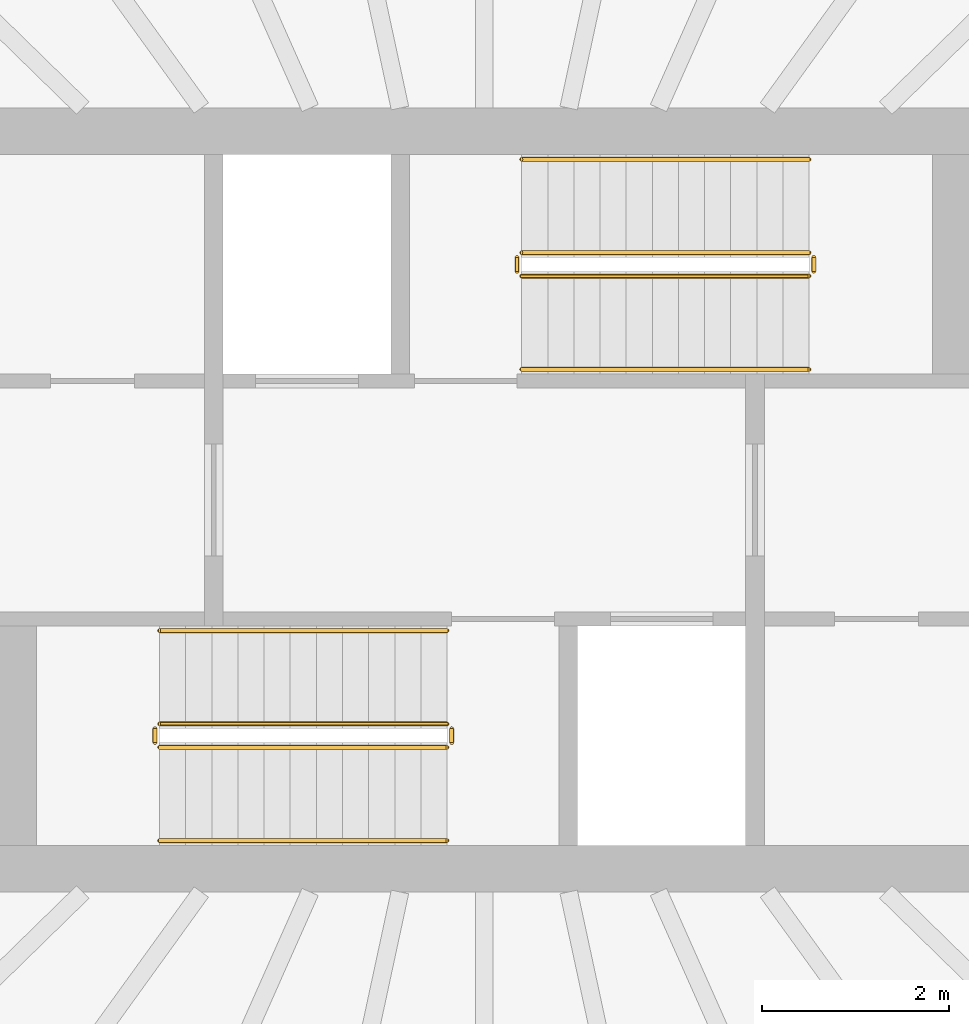
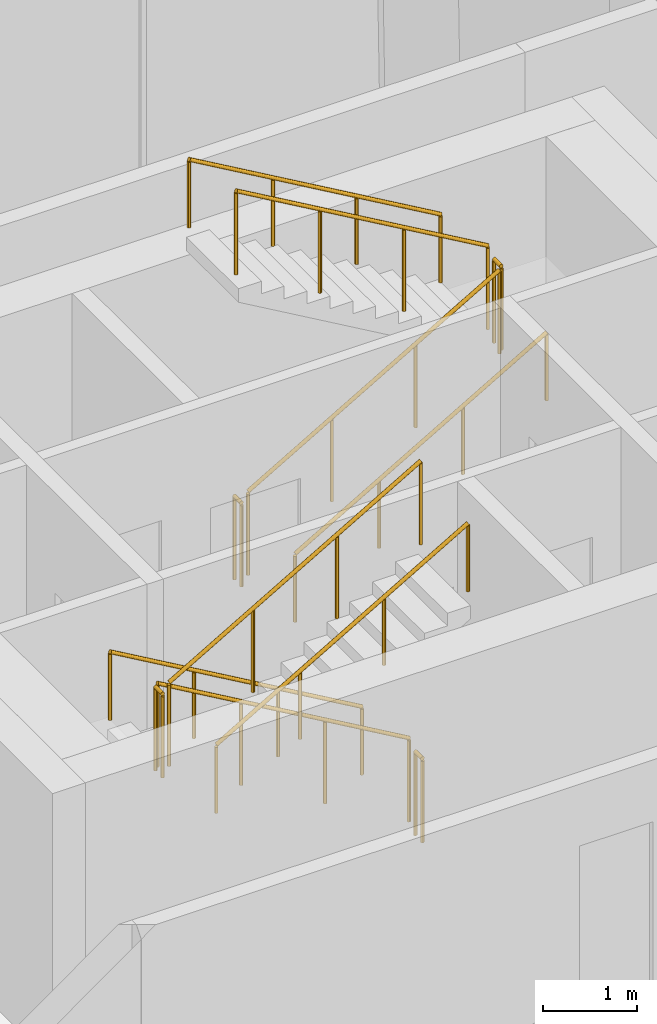
# One storey, part 5 of 5: 12 railings.
"""IFC4 building model written with IfcOpenShell, lengths in metres."""

from ifc_helpers import new_model, si_unit, direction, frame, origin, origin_2d, place, context, subcontext, project, spatial, circle, extrude, material, type_object, element, save


model = new_model("IFC4")

# Units and contexts
model_context = context("Model", 3, precision=1e-05, world=origin(), true_north=direction((0.0, 1.0)))
body_context = subcontext(model_context, "Body", "Model", "MODEL_VIEW")
ifc_project = project(units=[si_unit("LENGTHUNIT", "METRE"), si_unit("AREAUNIT", "SQUARE_METRE"), si_unit("VOLUMEUNIT", "CUBIC_METRE"), si_unit("PLANEANGLEUNIT", "RADIAN"), si_unit("MASSUNIT", "GRAM", prefix="KILO")], contexts=[model_context])

# Site, building, storey
site_placement = place(None, origin())
site = spatial("IfcSite", under=ifc_project, at=site_placement, CompositionType="ELEMENT")
building_placement = place(site_placement, origin())
building = spatial("IfcBuilding", under=site, at=building_placement, Name="Siaravel Broadcast Tower", CompositionType="ELEMENT")
storey_placement = place(building_placement, frame((0.0, 0.0, 280.39990234375)))
storey = spatial("IfcBuildingStorey", under=building, at=storey_placement, Name="L68", CompositionType="ELEMENT", Elevation=280.39990234375)

# Railings
ifc_material = material(Name="Stainless steel 316L", Category="steel")
railing_type_1 = type_object("IfcRailingType", Name="Stair guard 1100", PredefinedType="GUARDRAIL", material=ifc_material)
railing_1_placement = place(storey_placement, frame((0.39990234375, 2.39990234375, 0.16259765625)))
element("IfcRailing", 1, at=railing_1_placement, inside=storey, type_object=railing_type_1, Name="L68 ST-C1 stair guard 1", PredefinedType="GUARDRAIL", context=body_context, shape_type="SweptSolid", body=[
    extrude(circle(Radius=0.02392578125, at=origin_2d()), frame((0.0, 0.0, 1.076171875), z_axis=(0.864890721, 0.0, 0.501960198), x_axis=(0.0, 1.0, 0.0)), (0.0, 0.0, 1.0), 3.561279296875),
    extrude(circle(Radius=0.02099609375, at=origin_2d()), origin(), (0.0, 0.0, 1.0), 1.052001953125),
    extrude(circle(Radius=0.02099609375, at=origin_2d()), frame((1.026611328125, 0.0, 0.595947265625)), (0.0, 0.0, 1.0), 1.052001953125),
    extrude(circle(Radius=0.02099609375, at=origin_2d()), frame((2.053466796875, 0.0, 1.191650390625)), (0.0, 0.0, 1.0), 1.052001953125),
    extrude(circle(Radius=0.02099609375, at=origin_2d()), frame((3.080078125, 0.0, 1.78759765625)), (0.0, 0.0, 1.0), 1.052001953125),
])
railing_2_placement = place(storey_placement, frame((3.530029296875, 2.449951171875, 1.9501953125)))
element("IfcRailing", 2, at=railing_2_placement, inside=storey, type_object=railing_type_1, Name="L68 ST-C1 stair guard 2", PredefinedType="GUARDRAIL", context=body_context, shape_type="SweptSolid", body=[
    extrude(circle(Radius=0.02392578125, at=origin_2d()), frame((0.0, 0.0, 1.076171875), z_axis=(0.0, 1.0, 0.0), x_axis=(-1.0, 0.0, 0.0)), (0.0, 0.0, 1.0), 0.150146484375),
    extrude(circle(Radius=0.02099609375, at=origin_2d()), origin(), (0.0, 0.0, 1.0), 1.052001953125),
    extrude(circle(Radius=0.02099609375, at=origin_2d()), frame((0.0, 0.150146484375, 0.0)), (0.0, 0.0, 1.0), 1.052001953125),
])
railing_3_placement = place(storey_placement, frame((3.47998046875, 2.64990234375, 2.112548828125)))
element("IfcRailing", 3, at=railing_3_placement, inside=storey, type_object=railing_type_1, Name="L68 ST-C1 stair guard 3", PredefinedType="GUARDRAIL", context=body_context, shape_type="SweptSolid", body=[
    extrude(circle(Radius=0.02392578125, at=origin_2d()), frame((0.0, 0.0, 1.076171875), z_axis=(-0.864890721, 0.0, 0.501960198), x_axis=(0.0, -1.0, 0.0)), (0.0, 0.0, 1.0), 3.561279296875),
    extrude(circle(Radius=0.02099609375, at=origin_2d()), origin(), (0.0, 0.0, 1.0), 1.052001953125),
    extrude(circle(Radius=0.02099609375, at=origin_2d()), frame((-1.026611328125, 0.0, 0.595947265625)), (0.0, 0.0, 1.0), 1.052001953125),
    extrude(circle(Radius=0.02099609375, at=origin_2d()), frame((-2.053466796875, 0.0, 1.191650390625)), (0.0, 0.0, 1.0), 1.052001953125),
    extrude(circle(Radius=0.02099609375, at=origin_2d()), frame((-3.080078125, 0.0, 1.78759765625)), (0.0, 0.0, 1.0), 1.052001953125),
])
railing_4_placement = place(storey_placement, frame((0.35009765625, 2.449951171875, 0.0)))
element("IfcRailing", 4, at=railing_4_placement, inside=storey, type_object=railing_type_1, Name="L68 ST-C1 stair guard 4", PredefinedType="GUARDRAIL", context=body_context, shape_type="SweptSolid", body=[
    extrude(circle(Radius=0.02392578125, at=origin_2d()), frame((0.0, 0.0, 1.076171875), z_axis=(0.0, 1.0, 0.0), x_axis=(-1.0, 0.0, 0.0)), (0.0, 0.0, 1.0), 0.150146484375),
    extrude(circle(Radius=0.02099609375, at=origin_2d()), origin(), (0.0, 0.0, 1.0), 1.052001953125),
    extrude(circle(Radius=0.02099609375, at=origin_2d()), frame((0.0, 0.150146484375, 0.0)), (0.0, 0.0, 1.0), 1.052001953125),
])
railing_5_placement = place(storey_placement, frame((-0.39990234375, -2.39990234375, 0.16259765625)))
element("IfcRailing", 5, at=railing_5_placement, inside=storey, type_object=railing_type_1, Name="L68 ST-C2 stair guard 1", PredefinedType="GUARDRAIL", context=body_context, shape_type="SweptSolid", body=[
    extrude(circle(Radius=0.02392578125, at=origin_2d()), frame((0.0, 0.0, 1.076171875), z_axis=(-0.864890721, 0.0, 0.501960198), x_axis=(0.0, -1.0, 0.0)), (0.0, 0.0, 1.0), 3.561279296875),
    extrude(circle(Radius=0.02099609375, at=origin_2d()), origin(), (0.0, 0.0, 1.0), 1.052001953125),
    extrude(circle(Radius=0.02099609375, at=origin_2d()), frame((-1.026611328125, 0.0, 0.595947265625)), (0.0, 0.0, 1.0), 1.052001953125),
    extrude(circle(Radius=0.02099609375, at=origin_2d()), frame((-2.053466796875, 0.0, 1.191650390625)), (0.0, 0.0, 1.0), 1.052001953125),
    extrude(circle(Radius=0.02099609375, at=origin_2d()), frame((-3.080078125, 0.0, 1.78759765625)), (0.0, 0.0, 1.0), 1.052001953125),
])
railing_6_placement = place(storey_placement, frame((-3.530029296875, -2.449951171875, 1.9501953125)))
element("IfcRailing", 6, at=railing_6_placement, inside=storey, type_object=railing_type_1, Name="L68 ST-C2 stair guard 2", PredefinedType="GUARDRAIL", context=body_context, shape_type="SweptSolid", body=[
    extrude(circle(Radius=0.02392578125, at=origin_2d()), frame((0.0, 0.0, 1.076171875), z_axis=(0.0, -1.0, 0.0), x_axis=(1.0, 0.0, 0.0)), (0.0, 0.0, 1.0), 0.150146484375),
    extrude(circle(Radius=0.02099609375, at=origin_2d()), origin(), (0.0, 0.0, 1.0), 1.052001953125),
    extrude(circle(Radius=0.02099609375, at=origin_2d()), frame((0.0, -0.150146484375, 0.0)), (0.0, 0.0, 1.0), 1.052001953125),
])
railing_7_placement = place(storey_placement, frame((-3.47998046875, -2.64990234375, 2.112548828125)))
element("IfcRailing", 7, at=railing_7_placement, inside=storey, type_object=railing_type_1, Name="L68 ST-C2 stair guard 3", PredefinedType="GUARDRAIL", context=body_context, shape_type="SweptSolid", body=[
    extrude(circle(Radius=0.02392578125, at=origin_2d()), frame((0.0, 0.0, 1.076171875), z_axis=(0.864890721, 0.0, 0.501960198), x_axis=(0.0, 1.0, 0.0)), (0.0, 0.0, 1.0), 3.561279296875),
    extrude(circle(Radius=0.02099609375, at=origin_2d()), origin(), (0.0, 0.0, 1.0), 1.052001953125),
    extrude(circle(Radius=0.02099609375, at=origin_2d()), frame((1.026611328125, 0.0, 0.595947265625)), (0.0, 0.0, 1.0), 1.052001953125),
    extrude(circle(Radius=0.02099609375, at=origin_2d()), frame((2.053466796875, 0.0, 1.191650390625)), (0.0, 0.0, 1.0), 1.052001953125),
    extrude(circle(Radius=0.02099609375, at=origin_2d()), frame((3.080078125, 0.0, 1.78759765625)), (0.0, 0.0, 1.0), 1.052001953125),
])
railing_8_placement = place(storey_placement, frame((-0.35009765625, -2.449951171875, 0.0)))
element("IfcRailing", 8, at=railing_8_placement, inside=storey, type_object=railing_type_1, Name="L68 ST-C2 stair guard 4", PredefinedType="GUARDRAIL", context=body_context, shape_type="SweptSolid", body=[
    extrude(circle(Radius=0.02392578125, at=origin_2d()), frame((0.0, 0.0, 1.076171875), z_axis=(0.0, -1.0, 0.0), x_axis=(1.0, 0.0, 0.0)), (0.0, 0.0, 1.0), 0.150146484375),
    extrude(circle(Radius=0.02099609375, at=origin_2d()), origin(), (0.0, 0.0, 1.0), 1.052001953125),
    extrude(circle(Radius=0.02099609375, at=origin_2d()), frame((0.0, -0.150146484375, 0.0)), (0.0, 0.0, 1.0), 1.052001953125),
])
railing_type_2 = type_object("IfcRailingType", Name="Stair handrail 900", PredefinedType="HANDRAIL", material=ifc_material)
railing_9_placement = place(storey_placement, frame((0.39990234375, 1.39990234375, 0.16259765625)))
element("IfcRailing", 9, at=railing_9_placement, inside=storey, type_object=railing_type_2, Name="L68 ST-C1 stair handrail 1", PredefinedType="HANDRAIL", context=body_context, shape_type="SweptSolid", body=[
    extrude(circle(Radius=0.02392578125, at=origin_2d()), frame((0.0, 0.0, 0.8759765625), z_axis=(0.864890721, 0.0, 0.501960198), x_axis=(0.0, 1.0, 0.0)), (0.0, 0.0, 1.0), 3.561279296875),
    extrude(circle(Radius=0.02099609375, at=origin_2d()), origin(), (0.0, 0.0, 1.0), 0.851806640625),
    extrude(circle(Radius=0.02099609375, at=origin_2d()), frame((1.026611328125, 0.0, 0.595947265625)), (0.0, 0.0, 1.0), 0.851806640625),
    extrude(circle(Radius=0.02099609375, at=origin_2d()), frame((2.053466796875, 0.0, 1.191650390625)), (0.0, 0.0, 1.0), 0.851806640625),
    extrude(circle(Radius=0.02099609375, at=origin_2d()), frame((3.080078125, 0.0, 1.78759765625)), (0.0, 0.0, 1.0), 0.851806640625),
])
for number, where, name in (
    (10, (3.47998046875, 3.64990234375, 2.112548828125), "L68 ST-C1 stair handrail 2"),
    (11, (-0.39990234375, -1.39990234375, 0.16259765625), "L68 ST-C2 stair handrail 1"),
):
    element("IfcRailing", number, at=place(storey_placement, frame(where)), inside=storey, type_object=railing_type_2, Name=name, PredefinedType="HANDRAIL", context=body_context, shape_type="SweptSolid", body=[
        extrude(circle(Radius=0.02392578125, at=origin_2d()), frame((0.0, 0.0, 0.8759765625), z_axis=(-0.864890721, 0.0, 0.501960198), x_axis=(0.0, -1.0, 0.0)), (0.0, 0.0, 1.0), 3.561279296875),
        extrude(circle(Radius=0.02099609375, at=origin_2d()), origin(), (0.0, 0.0, 1.0), 0.851806640625),
        extrude(circle(Radius=0.02099609375, at=origin_2d()), frame((-1.026611328125, 0.0, 0.595947265625)), (0.0, 0.0, 1.0), 0.851806640625),
        extrude(circle(Radius=0.02099609375, at=origin_2d()), frame((-2.053466796875, 0.0, 1.191650390625)), (0.0, 0.0, 1.0), 0.851806640625),
        extrude(circle(Radius=0.02099609375, at=origin_2d()), frame((-3.080078125, 0.0, 1.78759765625)), (0.0, 0.0, 1.0), 0.851806640625),
    ])
railing_10_placement = place(storey_placement, frame((-3.47998046875, -3.64990234375, 2.112548828125)))
element("IfcRailing", 12, at=railing_10_placement, inside=storey, type_object=railing_type_2, Name="L68 ST-C2 stair handrail 2", PredefinedType="HANDRAIL", context=body_context, shape_type="SweptSolid", body=[
    extrude(circle(Radius=0.02392578125, at=origin_2d()), frame((0.0, 0.0, 0.8759765625), z_axis=(0.864890721, 0.0, 0.501960198), x_axis=(0.0, 1.0, 0.0)), (0.0, 0.0, 1.0), 3.561279296875),
    extrude(circle(Radius=0.02099609375, at=origin_2d()), origin(), (0.0, 0.0, 1.0), 0.851806640625),
    extrude(circle(Radius=0.02099609375, at=origin_2d()), frame((1.026611328125, 0.0, 0.595947265625)), (0.0, 0.0, 1.0), 0.851806640625),
    extrude(circle(Radius=0.02099609375, at=origin_2d()), frame((2.053466796875, 0.0, 1.191650390625)), (0.0, 0.0, 1.0), 0.851806640625),
    extrude(circle(Radius=0.02099609375, at=origin_2d()), frame((3.080078125, 0.0, 1.78759765625)), (0.0, 0.0, 1.0), 0.851806640625),
])

save(model, "model.ifc")
